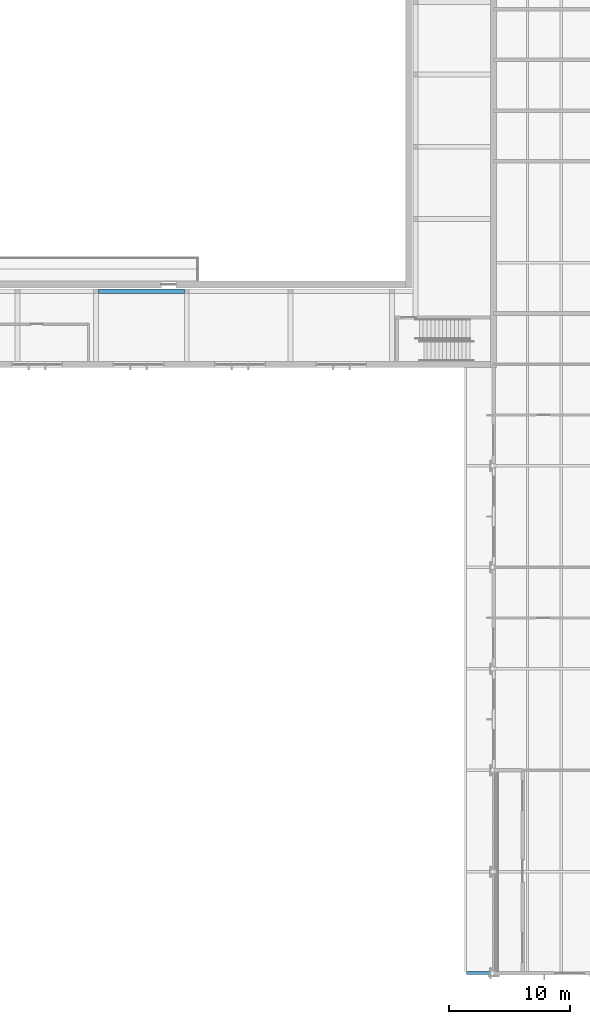
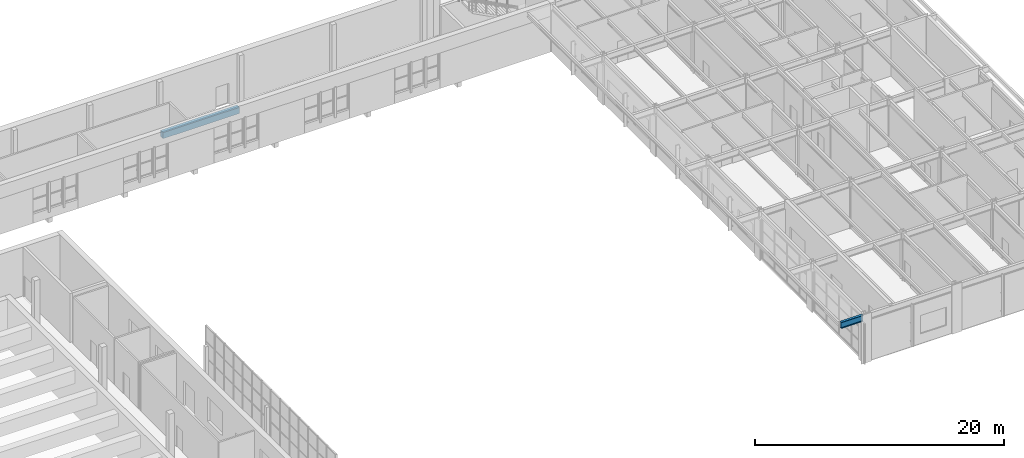
# One storey, part 24 of 116: 2 beams.
"""IFC4 building model written with IfcOpenShell, lengths in metres."""

import ifcopenshell
import ifcopenshell.guid

model = None  # the IFC model being written
_history = None  # IfcOwnerHistory: only IFC2X3 demands one
_inside = {}  # id of a spatial element -> (the spatial element, [elements in it])
_under = {}  # id of a project, library or spatial element -> (it, [spatial elements below it])
_declared = {}  # id of a project -> (the project, [libraries it declares])
_typed = {}  # id of a type object -> (the type object, [elements of that type])
_made_of = {}  # id of a material, layer set ... -> (it, [elements and type objects made of it])


def new_model(schema):
    """Start an empty IFC model of exactly this schema.

    Asked for "IFC4X3", IfcOpenShell would pick the latest addendum, in which some entities
    have other attributes; the version numbers below select the first issue.
    IFC2X3 requires an IfcOwnerHistory on every rooted entity: one is made here for all.
    """
    global model, _history
    if schema == "IFC4X3":
        model = ifcopenshell.file(schema_version=(4, 3, 0, 0))
    else:
        model = ifcopenshell.file(schema=schema)
    _inside.clear()
    _under.clear()
    _declared.clear()
    _typed.clear()
    _made_of.clear()
    _history = None
    if model.schema == "IFC2X3":
        org = make("IfcOrganization", Name="unknown")
        user = make(
            "IfcPersonAndOrganization",
            ThePerson=make("IfcPerson", FamilyName="unknown"),
            TheOrganization=org,
        )
        app = make(
            "IfcApplication",
            ApplicationDeveloper=org,
            Version="unknown",
            ApplicationFullName="unknown",
            ApplicationIdentifier="unknown",
        )
        _history = make(
            "IfcOwnerHistory",
            OwningUser=user,
            OwningApplication=app,
            ChangeAction="ADDED",
            CreationDate=0,
        )
    return model


def make(cls, **values):
    """One entity of the class cls with the attributes given. An attribute that is None is left unset."""
    return model.create_entity(
        cls, **{name: value for name, value in values.items() if value is not None}
    )


def rooted(cls, **values):
    """An entity with a GlobalId (a new one), such as an element, a storey or a relation."""
    return make(cls, GlobalId=ifcopenshell.guid.new(), OwnerHistory=_history, **values)


def si_unit(unit_type, name, prefix=None):
    """IfcSIUnit, for example si_unit("LENGTHUNIT", "METRE", prefix="MILLI")."""
    return make("IfcSIUnit", UnitType=unit_type, Prefix=prefix, Name=name)


def assignment(units):
    """IfcUnitAssignment: the units of a project."""
    return None if units is None else make("IfcUnitAssignment", Units=units)


def point(xyz):
    """IfcCartesianPoint."""
    return None if xyz is None else make("IfcCartesianPoint", Coordinates=xyz)


def direction(xyz):
    """IfcDirection."""
    return None if xyz is None else make("IfcDirection", DirectionRatios=xyz)


def frame(location, z_axis=None, x_axis=None):
    """IfcAxis2Placement3D, a coordinate frame: its origin and axes. An axis left out is left unset."""
    return make(
        "IfcAxis2Placement3D",
        Location=point(location),
        Axis=direction(z_axis),
        RefDirection=direction(x_axis),
    )


def frame_2d(location, x_axis=None):
    """IfcAxis2Placement2D, a coordinate frame in the plane: its origin and x axis."""
    return make(
        "IfcAxis2Placement2D", Location=point(location), RefDirection=direction(x_axis)
    )


def origin():
    """The frame at (0, 0, 0) with its axes left unset."""
    return frame((0.0, 0.0, 0.0))


def origin_2d():
    """The frame at (0, 0) in the plane with its x axis left unset."""
    return frame_2d((0.0, 0.0))


def place(relative_to, where):
    """IfcLocalPlacement: puts the frame where relative to a parent placement (None: the world)."""
    return make(
        "IfcLocalPlacement", PlacementRelTo=relative_to, RelativePlacement=where
    )


def context(
    kind, dimensions, precision=None, world=None, true_north=None, identifier=None
):
    """IfcGeometricRepresentationContext, for example the 3D "Model" context."""
    return make(
        "IfcGeometricRepresentationContext",
        ContextIdentifier=identifier,
        ContextType=kind,
        CoordinateSpaceDimension=dimensions,
        Precision=precision,
        WorldCoordinateSystem=world,
        TrueNorth=true_north,
    )


def subcontext(parent, identifier, kind, view, scale=None):
    """IfcGeometricRepresentationSubContext, for example "Body" below "Model"."""
    return make(
        "IfcGeometricRepresentationSubContext",
        ContextIdentifier=identifier,
        ContextType=kind,
        ParentContext=parent,
        TargetScale=scale,
        TargetView=view,
    )


def project(units=None, contexts=None):
    """IfcProject with its units and contexts."""
    return rooted(
        "IfcProject",
        Name="project",
        RepresentationContexts=contexts,
        UnitsInContext=assignment(units),
    )


def spatial(cls, under=None, at=None, **own):
    """A site, building, storey or space (cls), placed at a placement, below another one or the project."""
    s = rooted(cls, ObjectPlacement=at, **own)
    if under is not None:
        _under.setdefault(under.id(), (under, []))[1].append(s)
    return s


def profile(cls, at=None, kind="AREA", **sizes):
    """A parametric profile (cls). Its sizes go by their IFC names, for example OverallWidth=200.0."""
    return make(cls, ProfileType=kind, Position=at, **sizes)


def rectangle(**sizes):
    """IfcRectangleProfileDef."""
    return profile("IfcRectangleProfileDef", **sizes)


def i_section(**sizes):
    """IfcIShapeProfileDef."""
    return profile("IfcIShapeProfileDef", **sizes)


def extrude(swept, where, along, depth):
    """IfcExtrudedAreaSolid: the profile swept, set in the frame where, extruded along a direction by depth."""
    return make(
        "IfcExtrudedAreaSolid",
        SweptArea=swept,
        Position=where,
        ExtrudedDirection=direction(along),
        Depth=depth,
    )


def shape(context_of_items, identifier, shape_type, items):
    """IfcShapeRepresentation: the items that make up one representation, for example the "Body"."""
    return make(
        "IfcShapeRepresentation",
        ContextOfItems=context_of_items,
        RepresentationIdentifier=identifier,
        RepresentationType=shape_type,
        Items=items,
    )


def material(Name=None, Category=None):
    """IfcMaterial."""
    return make("IfcMaterial", Name=Name, Category=Category)


def material_profile(
    of_material, cross_section, Name=None, Category=None, Priority=None
):
    """IfcMaterialProfile: a cross section and its material."""
    return make(
        "IfcMaterialProfile",
        Name=Name,
        Material=of_material,
        Profile=cross_section,
        Priority=Priority,
        Category=Category,
    )


def profile_set(profiles, Name=None, composite=None):
    """IfcMaterialProfileSet."""
    return make(
        "IfcMaterialProfileSet",
        Name=Name,
        MaterialProfiles=profiles,
        CompositeProfile=composite,
    )


def made_of(thing, what):
    """Note that an element or type object is made of a material, layer set ...; save() writes the relation."""
    if what is not None:
        _made_of.setdefault(what.id(), (what, []))[1].append(thing)
    return thing


def type_object(cls, material=None, **own):
    """A type object (cls), such as IfcWallType, which elements share."""
    return made_of(rooted(cls, **own), material)


def element(
    cls,
    number,
    at=None,
    inside=None,
    cuts=None,
    type_object=None,
    material=None,
    context=None,
    identifier="Body",
    shape_type=None,
    held_by="IfcProductDefinitionShape",
    body=None,
    shapes=None,
    **own,
):
    """One element of the class cls, such as IfcWall. Its Tag is "e" and its number.

    at: its placement. inside: the storey or other place that contains it. cuts: it is an
    opening in that element (IfcRelVoidsElement). A single representation is given by context,
    identifier, shape_type and body (its items); several are given by shapes. held_by: the class
    of the entity that holds the representations. save() writes the other relations.
    """
    e = rooted(cls, Tag="e%d" % number, ObjectPlacement=at, **own)
    if body is not None:
        shapes = [shape(context, identifier, shape_type, body)]
    if shapes is not None:
        e.Representation = make(held_by, Representations=shapes)
    if inside is not None:
        _inside.setdefault(inside.id(), (inside, []))[1].append(e)
    if cuts is not None:
        rooted(
            "IfcRelVoidsElement", RelatingBuildingElement=cuts, RelatedOpeningElement=e
        )
    if type_object is not None:
        _typed.setdefault(type_object.id(), (type_object, []))[1].append(e)
    return made_of(e, material)


def aggregate(whole, parts):
    """IfcRelAggregates: a whole, such as a stair, and the parts it consists of."""
    return rooted("IfcRelAggregates", RelatingObject=whole, RelatedObjects=parts)


def save(model, path):
    """Write the relations noted so far, then the file.

    IfcRelAggregates (storeys below a building ...), IfcRelContainedInSpatialStructure (elements
    in a storey), IfcRelDefinesByType, IfcRelAssociatesMaterial and IfcRelDeclares: one each for
    every whole, place, type object, material and project.
    """
    for whole, parts in _under.values():
        aggregate(whole, parts)
    for where, things in _inside.values():
        rooted(
            "IfcRelContainedInSpatialStructure",
            RelatedElements=things,
            RelatingStructure=where,
        )
    for kind, things in _typed.values():
        rooted("IfcRelDefinesByType", RelatedObjects=things, RelatingType=kind)
    for what, things in _made_of.values():
        rooted("IfcRelAssociatesMaterial", RelatedObjects=things, RelatingMaterial=what)
    for by, libraries in _declared.values():
        rooted("IfcRelDeclares", RelatingContext=by, RelatedDefinitions=libraries)
    model.write(path)


model = new_model("IFC4")

# Units and contexts
model_context = context("Model", 3, precision=1e-05, world=origin(), true_north=direction((0.0, 1.0)))
body_context = subcontext(model_context, "Body", "Model", "MODEL_VIEW")
ifc_project = project(units=[si_unit("LENGTHUNIT", "METRE"), si_unit("AREAUNIT", "SQUARE_METRE"), si_unit("VOLUMEUNIT", "CUBIC_METRE"), si_unit("PLANEANGLEUNIT", "RADIAN"), si_unit("MASSUNIT", "GRAM", prefix="KILO")], contexts=[model_context])

# Site, building, storey
site_placement = place(None, origin())
site = spatial("IfcSite", under=ifc_project, at=site_placement, CompositionType="ELEMENT")
building_placement = place(site_placement, origin())
building = spatial("IfcBuilding", under=site, at=building_placement, Name="Ljudholm Concert House", CompositionType="ELEMENT")
storey_placement = place(building_placement, frame((0.0, 0.0, 10.199951171875)))
storey = spatial("IfcBuildingStorey", under=building, at=storey_placement, Name="L02", CompositionType="ELEMENT", Elevation=10.199951171875)

# Beams
ifc_material_1 = material(Name="Concrete 6,500 psi", Category="concrete")
ifc_material_profile_1 = material_profile(ifc_material_1, rectangle(XDim=0.39990234375, YDim=0.60009765625, at=origin_2d()), Name="RC BEAM 400x600")
ifc_profile_set_1 = profile_set([ifc_material_profile_1], Name="Concrete 6,500 psi")
beam_type_1 = type_object("IfcBeamType", Name="RC BEAM 400x600", PredefinedType="BEAM", material=ifc_profile_set_1)
beam_1_placement = place(storey_placement, frame((63.699951171875, 60.449951171875, -0.550048828125), z_axis=(1.0, 0.0, 0.0), x_axis=(0.0, 1.0, 0.0)))
element("IfcBeam", 1, at=beam_1_placement, inside=storey, type_object=beam_type_1, Name="Ring beam", PredefinedType="BEAM", context=body_context, shape_type="SweptSolid", body=[
    extrude(rectangle(XDim=0.39990234375, YDim=0.60009765625, at=origin_2d()), origin(), (0.0, 0.0, 1.0), 7.10009765625),
])
ifc_material_2 = material(Name="Steel ASTM A992", Category="steel")
ifc_material_profile_2 = material_profile(ifc_material_2, i_section(OverallWidth=0.22900390625, OverallDepth=0.612060546875, WebThickness=0.011962890625, FlangeThickness=0.01953125, FilletRadius=0.0126953125, at=origin_2d()), Name="W24X84")
ifc_profile_set_2 = profile_set([ifc_material_profile_2], Name="Steel ASTM A992")
beam_type_2 = type_object("IfcBeamType", Name="STEEL BEAM W24X84", PredefinedType="BEAM", material=ifc_profile_set_2)
beam_2_placement = place(storey_placement, frame((96.2158203125, 4.0, 4.31396484375), z_axis=(-1.0, 0.0, 0.0), x_axis=(0.0, -1.0, 0.0)))
element("IfcBeam", 2, at=beam_2_placement, inside=storey, type_object=beam_type_2, Name="Beam BOH-ROOF-eave-gW-4", PredefinedType="BEAM", context=body_context, shape_type="SweptSolid", body=[
    extrude(i_section(OverallWidth=0.22900390625, OverallDepth=0.612060546875, WebThickness=0.011962890625, FlangeThickness=0.01953125, FilletRadius=0.0126953125, at=origin_2d()), origin(), (0.0, 0.0, 1.0), 2.0380859375),
])

save(model, "model.ifc")
